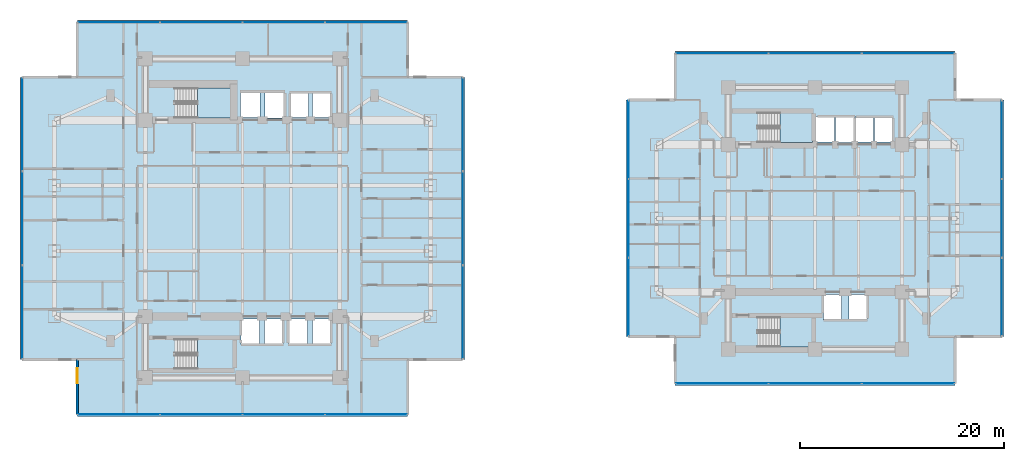
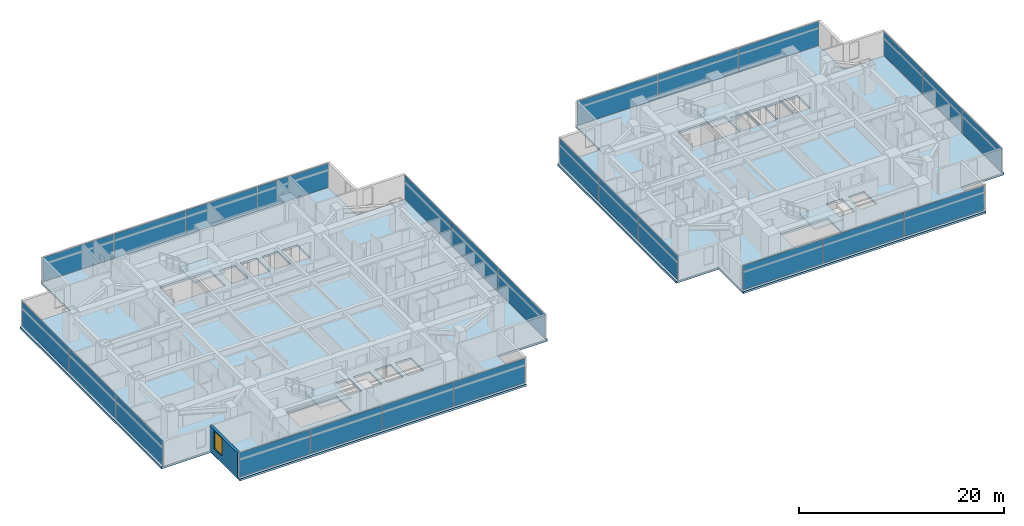
# One storey, part 11 of 23: 26 plates, 6 slabs, 1 wall, 1 window, 1 opening, 12 elements without a shape of their own.
"""IFC4 building model written with IfcOpenShell, lengths in metres."""

import ifcopenshell
import ifcopenshell.guid

model = None  # the IFC model being written
_history = None  # IfcOwnerHistory: only IFC2X3 demands one
_inside = {}  # id of a spatial element -> (the spatial element, [elements in it])
_under = {}  # id of a project, library or spatial element -> (it, [spatial elements below it])
_declared = {}  # id of a project -> (the project, [libraries it declares])
_typed = {}  # id of a type object -> (the type object, [elements of that type])
_made_of = {}  # id of a material, layer set ... -> (it, [elements and type objects made of it])


def new_model(schema):
    """Start an empty IFC model of exactly this schema.

    Asked for "IFC4X3", IfcOpenShell would pick the latest addendum, in which some entities
    have other attributes; the version numbers below select the first issue.
    IFC2X3 requires an IfcOwnerHistory on every rooted entity: one is made here for all.
    """
    global model, _history
    if schema == "IFC4X3":
        model = ifcopenshell.file(schema_version=(4, 3, 0, 0))
    else:
        model = ifcopenshell.file(schema=schema)
    _inside.clear()
    _under.clear()
    _declared.clear()
    _typed.clear()
    _made_of.clear()
    _history = None
    if model.schema == "IFC2X3":
        org = make("IfcOrganization", Name="unknown")
        user = make(
            "IfcPersonAndOrganization",
            ThePerson=make("IfcPerson", FamilyName="unknown"),
            TheOrganization=org,
        )
        app = make(
            "IfcApplication",
            ApplicationDeveloper=org,
            Version="unknown",
            ApplicationFullName="unknown",
            ApplicationIdentifier="unknown",
        )
        _history = make(
            "IfcOwnerHistory",
            OwningUser=user,
            OwningApplication=app,
            ChangeAction="ADDED",
            CreationDate=0,
        )
    return model


def make(cls, **values):
    """One entity of the class cls with the attributes given. An attribute that is None is left unset."""
    return model.create_entity(
        cls, **{name: value for name, value in values.items() if value is not None}
    )


def rooted(cls, **values):
    """An entity with a GlobalId (a new one), such as an element, a storey or a relation."""
    return make(cls, GlobalId=ifcopenshell.guid.new(), OwnerHistory=_history, **values)


def si_unit(unit_type, name, prefix=None):
    """IfcSIUnit, for example si_unit("LENGTHUNIT", "METRE", prefix="MILLI")."""
    return make("IfcSIUnit", UnitType=unit_type, Prefix=prefix, Name=name)


def assignment(units):
    """IfcUnitAssignment: the units of a project."""
    return None if units is None else make("IfcUnitAssignment", Units=units)


def point(xyz):
    """IfcCartesianPoint."""
    return None if xyz is None else make("IfcCartesianPoint", Coordinates=xyz)


def direction(xyz):
    """IfcDirection."""
    return None if xyz is None else make("IfcDirection", DirectionRatios=xyz)


def frame(location, z_axis=None, x_axis=None):
    """IfcAxis2Placement3D, a coordinate frame: its origin and axes. An axis left out is left unset."""
    return make(
        "IfcAxis2Placement3D",
        Location=point(location),
        Axis=direction(z_axis),
        RefDirection=direction(x_axis),
    )


def frame_2d(location, x_axis=None):
    """IfcAxis2Placement2D, a coordinate frame in the plane: its origin and x axis."""
    return make(
        "IfcAxis2Placement2D", Location=point(location), RefDirection=direction(x_axis)
    )


def origin():
    """The frame at (0, 0, 0) with its axes left unset."""
    return frame((0.0, 0.0, 0.0))


def origin_2d():
    """The frame at (0, 0) in the plane with its x axis left unset."""
    return frame_2d((0.0, 0.0))


def place(relative_to, where):
    """IfcLocalPlacement: puts the frame where relative to a parent placement (None: the world)."""
    return make(
        "IfcLocalPlacement", PlacementRelTo=relative_to, RelativePlacement=where
    )


def context(
    kind, dimensions, precision=None, world=None, true_north=None, identifier=None
):
    """IfcGeometricRepresentationContext, for example the 3D "Model" context."""
    return make(
        "IfcGeometricRepresentationContext",
        ContextIdentifier=identifier,
        ContextType=kind,
        CoordinateSpaceDimension=dimensions,
        Precision=precision,
        WorldCoordinateSystem=world,
        TrueNorth=true_north,
    )


def subcontext(parent, identifier, kind, view, scale=None):
    """IfcGeometricRepresentationSubContext, for example "Body" below "Model"."""
    return make(
        "IfcGeometricRepresentationSubContext",
        ContextIdentifier=identifier,
        ContextType=kind,
        ParentContext=parent,
        TargetScale=scale,
        TargetView=view,
    )


def project(units=None, contexts=None):
    """IfcProject with its units and contexts."""
    return rooted(
        "IfcProject",
        Name="project",
        RepresentationContexts=contexts,
        UnitsInContext=assignment(units),
    )


def spatial(cls, under=None, at=None, **own):
    """A site, building, storey or space (cls), placed at a placement, below another one or the project."""
    s = rooted(cls, ObjectPlacement=at, **own)
    if under is not None:
        _under.setdefault(under.id(), (under, []))[1].append(s)
    return s


def polyline(points):
    """IfcPolyline through the points."""
    return make("IfcPolyline", Points=[point(p) for p in points])


def profile(cls, at=None, kind="AREA", **sizes):
    """A parametric profile (cls). Its sizes go by their IFC names, for example OverallWidth=200.0."""
    return make(cls, ProfileType=kind, Position=at, **sizes)


def rectangle(**sizes):
    """IfcRectangleProfileDef."""
    return profile("IfcRectangleProfileDef", **sizes)


def outline(outer, holes=None, kind="AREA"):
    """IfcArbitraryClosedProfileDef: a profile drawn as a closed curve; with holes, ...WithVoids."""
    if holes is None:
        return make("IfcArbitraryClosedProfileDef", ProfileType=kind, OuterCurve=outer)
    return make(
        "IfcArbitraryProfileDefWithVoids",
        ProfileType=kind,
        OuterCurve=outer,
        InnerCurves=holes,
    )


def extrude(swept, where, along, depth):
    """IfcExtrudedAreaSolid: the profile swept, set in the frame where, extruded along a direction by depth."""
    return make(
        "IfcExtrudedAreaSolid",
        SweptArea=swept,
        Position=where,
        ExtrudedDirection=direction(along),
        Depth=depth,
    )


def shape(context_of_items, identifier, shape_type, items):
    """IfcShapeRepresentation: the items that make up one representation, for example the "Body"."""
    return make(
        "IfcShapeRepresentation",
        ContextOfItems=context_of_items,
        RepresentationIdentifier=identifier,
        RepresentationType=shape_type,
        Items=items,
    )


def material(Name=None, Category=None):
    """IfcMaterial."""
    return make("IfcMaterial", Name=Name, Category=Category)


def layer(
    of_material, thickness, ventilated=None, Name=None, Category=None, Priority=None
):
    """IfcMaterialLayer: one layer of a wall or slab, of a material (None: an air gap)."""
    return make(
        "IfcMaterialLayer",
        Material=of_material,
        LayerThickness=thickness,
        IsVentilated=ventilated,
        Name=Name,
        Category=Category,
        Priority=Priority,
    )


def layer_set(layers, Name=None):
    """IfcMaterialLayerSet."""
    return make("IfcMaterialLayerSet", MaterialLayers=layers, LayerSetName=Name)


def made_of(thing, what):
    """Note that an element or type object is made of a material, layer set ...; save() writes the relation."""
    if what is not None:
        _made_of.setdefault(what.id(), (what, []))[1].append(thing)
    return thing


def type_object(cls, material=None, **own):
    """A type object (cls), such as IfcWallType, which elements share."""
    return made_of(rooted(cls, **own), material)


def element(
    cls,
    number,
    at=None,
    inside=None,
    cuts=None,
    type_object=None,
    material=None,
    context=None,
    identifier="Body",
    shape_type=None,
    held_by="IfcProductDefinitionShape",
    body=None,
    shapes=None,
    **own,
):
    """One element of the class cls, such as IfcWall. Its Tag is "e" and its number.

    at: its placement. inside: the storey or other place that contains it. cuts: it is an
    opening in that element (IfcRelVoidsElement). A single representation is given by context,
    identifier, shape_type and body (its items); several are given by shapes. held_by: the class
    of the entity that holds the representations. save() writes the other relations.
    """
    e = rooted(cls, Tag="e%d" % number, ObjectPlacement=at, **own)
    if body is not None:
        shapes = [shape(context, identifier, shape_type, body)]
    if shapes is not None:
        e.Representation = make(held_by, Representations=shapes)
    if inside is not None:
        _inside.setdefault(inside.id(), (inside, []))[1].append(e)
    if cuts is not None:
        rooted(
            "IfcRelVoidsElement", RelatingBuildingElement=cuts, RelatedOpeningElement=e
        )
    if type_object is not None:
        _typed.setdefault(type_object.id(), (type_object, []))[1].append(e)
    return made_of(e, material)


def fill(opening, filler):
    """IfcRelFillsElement: the door or window that sits in an opening."""
    return rooted(
        "IfcRelFillsElement",
        RelatingOpeningElement=opening,
        RelatedBuildingElement=filler,
    )


def aggregate(whole, parts):
    """IfcRelAggregates: a whole, such as a stair, and the parts it consists of."""
    return rooted("IfcRelAggregates", RelatingObject=whole, RelatedObjects=parts)


def save(model, path):
    """Write the relations noted so far, then the file.

    IfcRelAggregates (storeys below a building ...), IfcRelContainedInSpatialStructure (elements
    in a storey), IfcRelDefinesByType, IfcRelAssociatesMaterial and IfcRelDeclares: one each for
    every whole, place, type object, material and project.
    """
    for whole, parts in _under.values():
        aggregate(whole, parts)
    for where, things in _inside.values():
        rooted(
            "IfcRelContainedInSpatialStructure",
            RelatedElements=things,
            RelatingStructure=where,
        )
    for kind, things in _typed.values():
        rooted("IfcRelDefinesByType", RelatedObjects=things, RelatingType=kind)
    for what, things in _made_of.values():
        rooted("IfcRelAssociatesMaterial", RelatedObjects=things, RelatingMaterial=what)
    for by, libraries in _declared.values():
        rooted("IfcRelDeclares", RelatingContext=by, RelatedDefinitions=libraries)
    model.write(path)


model = new_model("IFC4")

# Units and contexts
model_context = context("Model", 3, precision=1e-05, world=origin(), true_north=direction((0.0, 1.0)))
body_context = subcontext(model_context, "Body", "Model", "MODEL_VIEW")
ifc_project = project(units=[si_unit("LENGTHUNIT", "METRE"), si_unit("AREAUNIT", "SQUARE_METRE"), si_unit("VOLUMEUNIT", "CUBIC_METRE"), si_unit("PLANEANGLEUNIT", "RADIAN"), si_unit("MASSUNIT", "GRAM", prefix="KILO")], contexts=[model_context])

# Site, building, storey
site_placement = place(None, origin())
site = spatial("IfcSite", under=ifc_project, at=site_placement, CompositionType="ELEMENT")
building_placement = place(site_placement, origin())
building = spatial("IfcBuilding", under=site, at=building_placement, Name="Mirazonda Arch Towers", CompositionType="ELEMENT")
storey_placement = place(building_placement, frame((0.0, 0.0, 29.0)))
storey = spatial("IfcBuildingStorey", under=building, at=storey_placement, Name="L07", CompositionType="ELEMENT", Elevation=29.0)

# Curtain wall, plates
ifc_material_1 = material(Name="Anodised Aluminium and Low-E Glass", Category="aluminium")
curtain_wall_type = type_object("IfcCurtainWallType", Name="CW-HTL-UNIT", PredefinedType="NOTDEFINED", material=ifc_material_1)
curtain_wall_1_placement = place(storey_placement, origin())
curtain_wall_1 = element("IfcCurtainWall", 1, at=curtain_wall_1_placement, inside=storey, type_object=curtain_wall_type, Name="L07 T1 S Facade CW-L07-T1-S", PredefinedType="NOTDEFINED")
ifc_material_2 = material(Name="Insulated Low-E Solar Glass", Category="glass")
ifc_layer_1 = layer(ifc_material_2, 0.035888671875, Name="PAN-CW-HTL-UNIT")
ifc_layer_set_1 = layer_set([ifc_layer_1], Name="Insulated Low-E Solar Glass")
plate_type = type_object("IfcPlateType", Name="PAN-CW-HTL-UNIT", PredefinedType="CURTAIN_PANEL", material=ifc_layer_set_1)
plate_1_placement = place(storey_placement, frame((32.601318359375, 8.823974609375, 0.0751953125), z_axis=(0.0, 0.0, 1.0), x_axis=(-1.0, 0.0, 0.0)))
plate_1 = element("IfcPlate", 2, at=plate_1_placement, type_object=plate_type, Name="CW-112 panel 1.1", PredefinedType="CURTAIN_PANEL", context=body_context, shape_type="SweptSolid", body=[
    extrude(rectangle(XDim=7.967529296875, YDim=0.035888671875, at=origin_2d()), origin(), (0.0, 0.0, 1.0), 2.889892578125),
])
plate_2_placement = place(storey_placement, frame((24.5400390625, 8.823974609375, 0.0751953125), z_axis=(0.0, 0.0, 1.0), x_axis=(-1.0, 0.0, 0.0)))
plate_2 = element("IfcPlate", 3, at=plate_2_placement, type_object=plate_type, Name="CW-112 panel 2.1", PredefinedType="CURTAIN_PANEL", context=body_context, shape_type="SweptSolid", body=[
    extrude(rectangle(XDim=8.0048828125, YDim=0.035888671875, at=origin_2d()), origin(), (0.0, 0.0, 1.0), 2.889892578125),
])
plate_3_placement = place(storey_placement, frame((16.4599609375, 8.823974609375, 0.0751953125), z_axis=(0.0, 0.0, 1.0), x_axis=(-1.0, 0.0, 0.0)))
plate_3 = element("IfcPlate", 4, at=plate_3_placement, type_object=plate_type, Name="CW-112 panel 3.1", PredefinedType="CURTAIN_PANEL", context=body_context, shape_type="SweptSolid", body=[
    extrude(rectangle(XDim=8.0048828125, YDim=0.035888671875, at=origin_2d()), origin(), (0.0, 0.0, 1.0), 2.889892578125),
])
plate_4_placement = place(storey_placement, frame((8.398681640625, 8.823974609375, 0.0751953125), z_axis=(0.0, 0.0, 1.0), x_axis=(-1.0, 0.0, 0.0)))
plate_4 = element("IfcPlate", 5, at=plate_4_placement, type_object=plate_type, Name="CW-112 panel 4.1", PredefinedType="CURTAIN_PANEL", context=body_context, shape_type="SweptSolid", body=[
    extrude(rectangle(XDim=7.967529296875, YDim=0.035888671875, at=origin_2d()), origin(), (0.0, 0.0, 1.0), 2.889892578125),
])
aggregate(curtain_wall_1, [plate_1, plate_2, plate_3, plate_4])

curtain_wall_2_placement = place(storey_placement, origin())
curtain_wall_2 = element("IfcCurtainWall", 6, at=curtain_wall_2_placement, inside=storey, type_object=curtain_wall_type, Name="L07 T1 E Facade CW-L07-T1-E", PredefinedType="NOTDEFINED")
plate_5_placement = place(storey_placement, frame((42.0400390625, 18.821533203125, 0.0751953125), z_axis=(0.0, 0.0, 1.0), x_axis=(0.0, 1.0, 0.0)))
plate_5 = element("IfcPlate", 7, at=plate_5_placement, type_object=plate_type, Name="CW-112 panel 1.1", PredefinedType="CURTAIN_PANEL", context=body_context, shape_type="SweptSolid", body=[
    extrude(rectangle(XDim=9.084716796875, YDim=0.035888671875, at=origin_2d()), origin(), (0.0, 0.0, 1.0), 2.889892578125),
])
plate_6_placement = place(storey_placement, frame((42.0400390625, 28.0, 0.0751953125), z_axis=(0.0, 0.0, 1.0), x_axis=(0.0, 1.0, 0.0)))
plate_6 = element("IfcPlate", 8, at=plate_6_placement, type_object=plate_type, Name="CW-112 panel 2.1", PredefinedType="CURTAIN_PANEL", context=body_context, shape_type="SweptSolid", body=[
    extrude(rectangle(XDim=9.122314453125, YDim=0.035888671875, at=origin_2d()), origin(), (0.0, 0.0, 1.0), 2.889892578125),
])
plate_7_placement = place(storey_placement, frame((42.0400390625, 37.178466796875, 0.0751953125), z_axis=(0.0, 0.0, 1.0), x_axis=(0.0, 1.0, 0.0)))
plate_7 = element("IfcPlate", 9, at=plate_7_placement, type_object=plate_type, Name="CW-112 panel 3.1", PredefinedType="CURTAIN_PANEL", context=body_context, shape_type="SweptSolid", body=[
    extrude(rectangle(XDim=9.084716796875, YDim=0.035888671875, at=origin_2d()), origin(), (0.0, 0.0, 1.0), 2.889892578125),
])
aggregate(curtain_wall_2, [plate_5, plate_6, plate_7])

curtain_wall_3_placement = place(storey_placement, origin())
curtain_wall_3 = element("IfcCurtainWall", 10, at=curtain_wall_3_placement, inside=storey, type_object=curtain_wall_type, Name="L07 T1 N Facade CW-L07-T1-N", PredefinedType="NOTDEFINED")
plate_8_placement = place(storey_placement, frame((8.398681640625, 47.176025390625, 0.0751953125), z_axis=(0.0, 0.0, 1.0), x_axis=(1.0, 0.0, 0.0)))
plate_8 = element("IfcPlate", 11, at=plate_8_placement, type_object=plate_type, Name="CW-112 panel 1.1", PredefinedType="CURTAIN_PANEL", context=body_context, shape_type="SweptSolid", body=[
    extrude(rectangle(XDim=7.967529296875, YDim=0.035888671875, at=origin_2d()), origin(), (0.0, 0.0, 1.0), 2.889892578125),
])
plate_9_placement = place(storey_placement, frame((16.4599609375, 47.176025390625, 0.0751953125), z_axis=(0.0, 0.0, 1.0), x_axis=(1.0, 0.0, 0.0)))
plate_9 = element("IfcPlate", 12, at=plate_9_placement, type_object=plate_type, Name="CW-112 panel 2.1", PredefinedType="CURTAIN_PANEL", context=body_context, shape_type="SweptSolid", body=[
    extrude(rectangle(XDim=8.0048828125, YDim=0.035888671875, at=origin_2d()), origin(), (0.0, 0.0, 1.0), 2.889892578125),
])
plate_10_placement = place(storey_placement, frame((24.5400390625, 47.176025390625, 0.0751953125), z_axis=(0.0, 0.0, 1.0), x_axis=(1.0, 0.0, 0.0)))
plate_10 = element("IfcPlate", 13, at=plate_10_placement, type_object=plate_type, Name="CW-112 panel 3.1", PredefinedType="CURTAIN_PANEL", context=body_context, shape_type="SweptSolid", body=[
    extrude(rectangle(XDim=8.0048828125, YDim=0.035888671875, at=origin_2d()), origin(), (0.0, 0.0, 1.0), 2.889892578125),
])
plate_11_placement = place(storey_placement, frame((32.601318359375, 47.176025390625, 0.0751953125), z_axis=(0.0, 0.0, 1.0), x_axis=(1.0, 0.0, 0.0)))
plate_11 = element("IfcPlate", 14, at=plate_11_placement, type_object=plate_type, Name="CW-112 panel 4.1", PredefinedType="CURTAIN_PANEL", context=body_context, shape_type="SweptSolid", body=[
    extrude(rectangle(XDim=7.967529296875, YDim=0.035888671875, at=origin_2d()), origin(), (0.0, 0.0, 1.0), 2.889892578125),
])
aggregate(curtain_wall_3, [plate_8, plate_9, plate_10, plate_11])

curtain_wall_4_placement = place(storey_placement, origin())
curtain_wall_4 = element("IfcCurtainWall", 15, at=curtain_wall_4_placement, inside=storey, type_object=curtain_wall_type, Name="L07 T1 W Facade CW-L07-T1-W", PredefinedType="NOTDEFINED")
plate_12_placement = place(storey_placement, frame((-1.0400390625, 37.178466796875, 0.0751953125), z_axis=(0.0, 0.0, 1.0), x_axis=(0.0, -1.0, 0.0)))
plate_12 = element("IfcPlate", 16, at=plate_12_placement, type_object=plate_type, Name="CW-112 panel 1.1", PredefinedType="CURTAIN_PANEL", context=body_context, shape_type="SweptSolid", body=[
    extrude(rectangle(XDim=9.084716796875, YDim=0.035888671875, at=origin_2d()), origin(), (0.0, 0.0, 1.0), 2.889892578125),
])
plate_13_placement = place(storey_placement, frame((-1.0400390625, 28.0, 0.0751953125), z_axis=(0.0, 0.0, 1.0), x_axis=(0.0, -1.0, 0.0)))
plate_13 = element("IfcPlate", 17, at=plate_13_placement, type_object=plate_type, Name="CW-112 panel 2.1", PredefinedType="CURTAIN_PANEL", context=body_context, shape_type="SweptSolid", body=[
    extrude(rectangle(XDim=9.122314453125, YDim=0.035888671875, at=origin_2d()), origin(), (0.0, 0.0, 1.0), 2.889892578125),
])
plate_14_placement = place(storey_placement, frame((-1.0400390625, 18.821533203125, 0.0751953125), z_axis=(0.0, 0.0, 1.0), x_axis=(0.0, -1.0, 0.0)))
plate_14 = element("IfcPlate", 18, at=plate_14_placement, type_object=plate_type, Name="CW-112 panel 3.1", PredefinedType="CURTAIN_PANEL", context=body_context, shape_type="SweptSolid", body=[
    extrude(rectangle(XDim=9.084716796875, YDim=0.035888671875, at=origin_2d()), origin(), (0.0, 0.0, 1.0), 2.889892578125),
])
aggregate(curtain_wall_4, [plate_12, plate_13, plate_14])

curtain_wall_5_placement = place(storey_placement, origin())
curtain_wall_5 = element("IfcCurtainWall", 19, at=curtain_wall_5_placement, inside=storey, type_object=curtain_wall_type, Name="L07 T2 S Facade CW-L07-T2-S", PredefinedType="NOTDEFINED")
plate_15_placement = place(storey_placement, frame((85.5986328125, 11.853515625, 0.0751953125), z_axis=(0.0, 0.0, 1.0), x_axis=(-1.0, 0.0, 0.0)))
plate_15 = element("IfcPlate", 20, at=plate_15_placement, type_object=plate_type, Name="CW-112 panel 1.1", PredefinedType="CURTAIN_PANEL", context=body_context, shape_type="SweptSolid", body=[
    extrude(rectangle(XDim=9.0048828125, YDim=0.035888671875, at=origin_2d()), origin(), (0.0, 0.0, 1.0), 2.889892578125),
])
plate_16_placement = place(storey_placement, frame((76.5, 11.853515625, 0.0751953125), z_axis=(0.0, 0.0, 1.0), x_axis=(-1.0, 0.0, 0.0)))
plate_16 = element("IfcPlate", 21, at=plate_16_placement, type_object=plate_type, Name="CW-112 panel 2.1", PredefinedType="CURTAIN_PANEL", context=body_context, shape_type="SweptSolid", body=[
    extrude(rectangle(XDim=9.042236328125, YDim=0.035888671875, at=origin_2d()), origin(), (0.0, 0.0, 1.0), 2.889892578125),
])
plate_17_placement = place(storey_placement, frame((67.4013671875, 11.853515625, 0.0751953125), z_axis=(0.0, 0.0, 1.0), x_axis=(-1.0, 0.0, 0.0)))
plate_17 = element("IfcPlate", 22, at=plate_17_placement, type_object=plate_type, Name="CW-112 panel 3.1", PredefinedType="CURTAIN_PANEL", context=body_context, shape_type="SweptSolid", body=[
    extrude(rectangle(XDim=9.0048828125, YDim=0.035888671875, at=origin_2d()), origin(), (0.0, 0.0, 1.0), 2.889892578125),
])
aggregate(curtain_wall_5, [plate_15, plate_16, plate_17])

curtain_wall_6_placement = place(storey_placement, origin())
curtain_wall_6 = element("IfcCurtainWall", 23, at=curtain_wall_6_placement, inside=storey, type_object=curtain_wall_type, Name="L07 T2 E Facade CW-L07-T2-E", PredefinedType="NOTDEFINED")
plate_18_placement = place(storey_placement, frame((94.756103515625, 20.3076171875, 0.0751953125), z_axis=(0.0, 0.0, 1.0), x_axis=(0.0, 1.0, 0.0)))
plate_18 = element("IfcPlate", 24, at=plate_18_placement, type_object=plate_type, Name="CW-112 panel 1.1", PredefinedType="CURTAIN_PANEL", context=body_context, shape_type="SweptSolid", body=[
    extrude(rectangle(XDim=7.5986328125, YDim=0.035888671875, at=origin_2d()), origin(), (0.0, 0.0, 1.0), 2.889892578125),
])
plate_19_placement = place(storey_placement, frame((94.756103515625, 28.0, 0.0751953125), z_axis=(0.0, 0.0, 1.0), x_axis=(0.0, 1.0, 0.0)))
plate_19 = element("IfcPlate", 25, at=plate_19_placement, type_object=plate_type, Name="CW-112 panel 2.1", PredefinedType="CURTAIN_PANEL", context=body_context, shape_type="SweptSolid", body=[
    extrude(rectangle(XDim=7.635986328125, YDim=0.035888671875, at=origin_2d()), origin(), (0.0, 0.0, 1.0), 2.889892578125),
])
plate_20_placement = place(storey_placement, frame((94.756103515625, 35.6923828125, 0.0751953125), z_axis=(0.0, 0.0, 1.0), x_axis=(0.0, 1.0, 0.0)))
plate_20 = element("IfcPlate", 26, at=plate_20_placement, type_object=plate_type, Name="CW-112 panel 3.1", PredefinedType="CURTAIN_PANEL", context=body_context, shape_type="SweptSolid", body=[
    extrude(rectangle(XDim=7.5986328125, YDim=0.035888671875, at=origin_2d()), origin(), (0.0, 0.0, 1.0), 2.889892578125),
])
aggregate(curtain_wall_6, [plate_18, plate_19, plate_20])

curtain_wall_7_placement = place(storey_placement, origin())
curtain_wall_7 = element("IfcCurtainWall", 27, at=curtain_wall_7_placement, inside=storey, type_object=curtain_wall_type, Name="L07 T2 N Facade CW-L07-T2-N", PredefinedType="NOTDEFINED")
plate_21_placement = place(storey_placement, frame((67.4013671875, 44.146484375, 0.0751953125), z_axis=(0.0, 0.0, 1.0), x_axis=(1.0, 0.0, 0.0)))
plate_21 = element("IfcPlate", 28, at=plate_21_placement, type_object=plate_type, Name="CW-112 panel 1.1", PredefinedType="CURTAIN_PANEL", context=body_context, shape_type="SweptSolid", body=[
    extrude(rectangle(XDim=9.0048828125, YDim=0.035888671875, at=origin_2d()), origin(), (0.0, 0.0, 1.0), 2.889892578125),
])
plate_22_placement = place(storey_placement, frame((76.5, 44.146484375, 0.0751953125), z_axis=(0.0, 0.0, 1.0), x_axis=(1.0, 0.0, 0.0)))
plate_22 = element("IfcPlate", 29, at=plate_22_placement, type_object=plate_type, Name="CW-112 panel 2.1", PredefinedType="CURTAIN_PANEL", context=body_context, shape_type="SweptSolid", body=[
    extrude(rectangle(XDim=9.042236328125, YDim=0.035888671875, at=origin_2d()), origin(), (0.0, 0.0, 1.0), 2.889892578125),
])
plate_23_placement = place(storey_placement, frame((85.5986328125, 44.146484375, 0.0751953125), z_axis=(0.0, 0.0, 1.0), x_axis=(1.0, 0.0, 0.0)))
plate_23 = element("IfcPlate", 30, at=plate_23_placement, type_object=plate_type, Name="CW-112 panel 3.1", PredefinedType="CURTAIN_PANEL", context=body_context, shape_type="SweptSolid", body=[
    extrude(rectangle(XDim=9.0048828125, YDim=0.035888671875, at=origin_2d()), origin(), (0.0, 0.0, 1.0), 2.889892578125),
])
aggregate(curtain_wall_7, [plate_21, plate_22, plate_23])

curtain_wall_8_placement = place(storey_placement, origin())
curtain_wall_8 = element("IfcCurtainWall", 31, at=curtain_wall_8_placement, inside=storey, type_object=curtain_wall_type, Name="L07 T2 W Facade CW-L07-T2-W", PredefinedType="NOTDEFINED")
plate_24_placement = place(storey_placement, frame((58.243896484375, 35.6923828125, 0.0751953125), z_axis=(0.0, 0.0, 1.0), x_axis=(0.0, -1.0, 0.0)))
plate_24 = element("IfcPlate", 32, at=plate_24_placement, type_object=plate_type, Name="CW-112 panel 1.1", PredefinedType="CURTAIN_PANEL", context=body_context, shape_type="SweptSolid", body=[
    extrude(rectangle(XDim=7.5986328125, YDim=0.035888671875, at=origin_2d()), origin(), (0.0, 0.0, 1.0), 2.889892578125),
])
plate_25_placement = place(storey_placement, frame((58.243896484375, 28.0, 0.0751953125), z_axis=(0.0, 0.0, 1.0), x_axis=(0.0, -1.0, 0.0)))
plate_25 = element("IfcPlate", 33, at=plate_25_placement, type_object=plate_type, Name="CW-112 panel 2.1", PredefinedType="CURTAIN_PANEL", context=body_context, shape_type="SweptSolid", body=[
    extrude(rectangle(XDim=7.635986328125, YDim=0.035888671875, at=origin_2d()), origin(), (0.0, 0.0, 1.0), 2.889892578125),
])
plate_26_placement = place(storey_placement, frame((58.243896484375, 20.3076171875, 0.0751953125), z_axis=(0.0, 0.0, 1.0), x_axis=(0.0, -1.0, 0.0)))
plate_26 = element("IfcPlate", 34, at=plate_26_placement, type_object=plate_type, Name="CW-112 panel 3.1", PredefinedType="CURTAIN_PANEL", context=body_context, shape_type="SweptSolid", body=[
    extrude(rectangle(XDim=7.5986328125, YDim=0.035888671875, at=origin_2d()), origin(), (0.0, 0.0, 1.0), 2.889892578125),
])
aggregate(curtain_wall_8, [plate_24, plate_25, plate_26])

# Stair, slab
ifc_material_3 = material(Name="Concrete C40/50", Category="concrete")
stair_type = type_object("IfcStairType", Name="STAIR-CORE-1400", PredefinedType="HALF_TURN_STAIR", material=ifc_material_3)
stair_1_placement = place(storey_placement, origin())
stair_1 = element("IfcStair", 35, at=stair_1_placement, inside=storey, type_object=stair_type, Name="L07 Protected Exit Stair ST-T1N", PredefinedType="HALF_TURN_STAIR")
ifc_layer_2 = layer(ifc_material_3, 0.18994140625, Name="SLAB-LANDING-190")
ifc_layer_set_2 = layer_set([ifc_layer_2], Name="Concrete C40/50")
slab_type_1 = type_object("IfcSlabType", Name="SLAB-LANDING-190", PredefinedType="LANDING", material=ifc_layer_set_2)
slab_1_placement = place(storey_placement, frame((0.0, 0.0, 1.449951171875)))
slab_1 = element("IfcSlab", 36, at=slab_1_placement, type_object=slab_type_1, Name="ST-T1N landing 1", PredefinedType="LANDING", context=body_context, shape_type="SweptSolid", body=[
    extrude(outline(polyline([(16.090087890625, 37.820068359375), (19.60009765625, 37.820068359375), (19.60009765625, 40.760009765625), (16.090087890625, 40.760009765625), (16.090087890625, 37.820068359375)])), origin(), (0.0, 0.0, 1.0), 0.199951171875),
])
aggregate(stair_1, [slab_1])

stair_2_placement = place(storey_placement, origin())
stair_2 = element("IfcStair", 37, at=stair_2_placement, inside=storey, type_object=stair_type, Name="L07 Protected Exit Stair ST-T1S", PredefinedType="HALF_TURN_STAIR")
slab_2_placement = place(storey_placement, frame((0.0, 0.0, 1.449951171875)))
slab_2 = element("IfcSlab", 38, at=slab_2_placement, type_object=slab_type_1, Name="ST-T1S landing 1", PredefinedType="LANDING", context=body_context, shape_type="SweptSolid", body=[
    extrude(outline(polyline([(16.090087890625, 13.25), (19.60009765625, 13.25), (19.60009765625, 16.18994140625), (16.090087890625, 16.18994140625), (16.090087890625, 13.25)])), origin(), (0.0, 0.0, 1.0), 0.199951171875),
])
aggregate(stair_2, [slab_2])

stair_3_placement = place(storey_placement, origin())
stair_3 = element("IfcStair", 39, at=stair_3_placement, inside=storey, type_object=stair_type, Name="L07 Protected Exit Stair ST-T2N", PredefinedType="HALF_TURN_STAIR")
slab_3_placement = place(storey_placement, frame((0.0, 0.0, 1.449951171875)))
slab_3 = element("IfcSlab", 40, at=slab_3_placement, type_object=slab_type_1, Name="ST-T2N landing 1", PredefinedType="LANDING", context=body_context, shape_type="SweptSolid", body=[
    extrude(outline(polyline([(73.090087890625, 35.419921875), (76.22998046875, 35.419921875), (76.22998046875, 38.360107421875), (73.090087890625, 38.360107421875), (73.090087890625, 35.419921875)])), origin(), (0.0, 0.0, 1.0), 0.199951171875),
])
aggregate(stair_3, [slab_3])

stair_4_placement = place(storey_placement, origin())
stair_4 = element("IfcStair", 41, at=stair_4_placement, inside=storey, type_object=stair_type, Name="L07 Protected Exit Stair ST-T2S", PredefinedType="HALF_TURN_STAIR")
slab_4_placement = place(storey_placement, frame((0.0, 0.0, 1.449951171875)))
slab_4 = element("IfcSlab", 42, at=slab_4_placement, type_object=slab_type_1, Name="ST-T2S landing 1", PredefinedType="LANDING", context=body_context, shape_type="SweptSolid", body=[
    extrude(outline(polyline([(73.090087890625, 15.419921875), (76.22998046875, 15.419921875), (76.22998046875, 18.360107421875), (73.090087890625, 18.360107421875), (73.090087890625, 15.419921875)])), origin(), (0.0, 0.0, 1.0), 0.199951171875),
])
aggregate(stair_4, [slab_4])

# Slabs
ifc_layer_3 = layer(ifc_material_3, 0.239990234375, Name="SLAB-TWR-240")
ifc_layer_set_3 = layer_set([ifc_layer_3], Name="Concrete C40/50")
slab_type_2 = type_object("IfcSlabType", Name="SLAB-TWR-240", PredefinedType="FLOOR", material=ifc_layer_set_3)
slab_5_placement = place(storey_placement, frame((0.0, 0.0, -0.239990234375)))
element("IfcSlab", 43, at=slab_5_placement, inside=storey, type_object=slab_type_2, Name="L07 Tower 1 Floor Slab", PredefinedType="FLOOR", context=body_context, shape_type="SweptSolid", body=[
    extrude(outline(polyline([(4.340087890625, 8.60400390625), (36.659912109375, 8.60400390625), (36.659912109375, 14.2041015625), (42.260009765625, 14.2041015625), (42.260009765625, 41.7958984375), (36.659912109375, 41.7958984375), (36.659912109375, 47.39599609375), (4.340087890625, 47.39599609375), (4.340087890625, 41.7958984375), (-1.260009765625, 41.7958984375), (-1.260009765625, 14.2041015625), (4.340087890625, 14.2041015625), (4.340087890625, 8.60400390625)]), holes=[polyline([(29.139892578125, 18.139892578125), (29.139892578125, 15.659912109375), (27.360107421875, 15.659912109375), (27.360107421875, 18.139892578125), (29.139892578125, 18.139892578125)]), polyline([(29.139892578125, 40.340087890625), (29.139892578125, 37.860107421875), (27.360107421875, 37.860107421875), (27.360107421875, 40.340087890625), (29.139892578125, 40.340087890625)]), polyline([(25.159912109375, 40.340087890625), (26.93994140625, 40.340087890625), (26.93994140625, 37.860107421875), (25.159912109375, 37.860107421875), (25.159912109375, 40.340087890625)]), polyline([(26.840087890625, 18.139892578125), (26.840087890625, 15.659912109375), (25.06005859375, 15.659912109375), (25.06005859375, 18.139892578125), (26.840087890625, 18.139892578125)]), polyline([(22.7099609375, 40.389892578125), (24.590087890625, 40.389892578125), (24.590087890625, 37.81005859375), (22.7099609375, 37.81005859375), (22.7099609375, 40.389892578125)]), polyline([(22.659912109375, 18.139892578125), (24.43994140625, 18.139892578125), (24.43994140625, 15.659912109375), (22.659912109375, 15.659912109375), (22.659912109375, 18.139892578125)]), polyline([(20.31005859375, 40.340087890625), (22.18994140625, 40.340087890625), (22.18994140625, 37.860107421875), (20.31005859375, 37.860107421875), (20.31005859375, 40.340087890625)]), polyline([(20.360107421875, 18.139892578125), (22.139892578125, 18.139892578125), (22.139892578125, 15.659912109375), (20.360107421875, 15.659912109375), (20.360107421875, 18.139892578125)]), polyline([(13.925048828125, 40.760009765625), (19.60009765625, 40.760009765625), (19.60009765625, 37.820068359375), (13.925048828125, 37.820068359375), (13.925048828125, 40.760009765625)]), polyline([(13.925048828125, 13.25), (13.925048828125, 16.18994140625), (19.60009765625, 16.18994140625), (19.60009765625, 13.25), (13.925048828125, 13.25)])]), origin(), (0.0, 0.0, 1.0), 0.239990234375),
])
slab_6_placement = place(storey_placement, frame((0.0, 0.0, -0.239990234375)))
element("IfcSlab", 44, at=slab_6_placement, inside=storey, type_object=slab_type_2, Name="L07 Tower 2 Floor Slab", PredefinedType="FLOOR", context=body_context, shape_type="SweptSolid", body=[
    extrude(outline(polyline([(62.823974609375, 11.63330078125), (90.176025390625, 11.63330078125), (90.176025390625, 16.433349609375), (94.97607421875, 16.433349609375), (94.97607421875, 39.566650390625), (90.176025390625, 39.566650390625), (90.176025390625, 44.36669921875), (62.823974609375, 44.36669921875), (62.823974609375, 39.566650390625), (58.02392578125, 39.566650390625), (58.02392578125, 16.433349609375), (62.823974609375, 16.433349609375), (62.823974609375, 11.63330078125)]), holes=[polyline([(82.330078125, 37.93994140625), (84.110107421875, 37.93994140625), (84.110107421875, 35.4599609375), (82.330078125, 35.4599609375), (82.330078125, 37.93994140625)]), polyline([(80.449951171875, 37.93994140625), (82.22998046875, 37.93994140625), (82.22998046875, 35.4599609375), (80.449951171875, 35.4599609375), (80.449951171875, 37.93994140625)]), polyline([(79.81005859375, 20.5400390625), (81.590087890625, 20.5400390625), (81.590087890625, 18.06005859375), (79.81005859375, 18.06005859375), (79.81005859375, 20.5400390625)]), polyline([(78.47998046875, 37.989990234375), (80.360107421875, 37.989990234375), (80.360107421875, 35.409912109375), (78.47998046875, 35.409912109375), (78.47998046875, 37.989990234375)]), polyline([(77.31005859375, 20.5400390625), (79.090087890625, 20.5400390625), (79.090087890625, 18.06005859375), (77.31005859375, 18.06005859375), (77.31005859375, 20.5400390625)]), polyline([(76.510009765625, 37.93994140625), (78.389892578125, 37.93994140625), (78.389892578125, 35.4599609375), (76.510009765625, 35.4599609375), (76.510009765625, 37.93994140625)]), polyline([(70.925048828125, 15.419921875), (70.925048828125, 18.360107421875), (76.22998046875, 18.360107421875), (76.22998046875, 15.419921875), (70.925048828125, 15.419921875)]), polyline([(70.925048828125, 35.419921875), (70.925048828125, 38.360107421875), (76.22998046875, 38.360107421875), (76.22998046875, 35.419921875), (70.925048828125, 35.419921875)])]), origin(), (0.0, 0.0, 1.0), 0.239990234375),
])

# Wall, opening, window
ifc_material_4 = material(Name="Precast Concrete C40/50", Category="concrete")
ifc_layer_4 = layer(ifc_material_4, 0.280029296875, Name="WALL-EXT-WALL-280")
ifc_layer_set_4 = layer_set([ifc_layer_4], Name="Precast Concrete C40/50")
wall_type = type_object("IfcWallType", Name="WALL-EXT-WALL-280", PredefinedType="SOLIDWALL", material=ifc_layer_set_4)
wall_placement = place(storey_placement, frame((4.340087890625, 14.2041015625, 0.0), z_axis=(0.0, 0.0, 1.0), x_axis=(0.0, -1.0, 0.0)))
wall = element("IfcWall", 45, at=wall_placement, inside=storey, type_object=wall_type, Name="L07 T1 Notched SW Corner Wall WL-L07-T1-CSW", PredefinedType="SOLIDWALL", context=body_context, shape_type="SweptSolid", body=[
    extrude(rectangle(XDim=5.380126953125, YDim=0.280029296875, at=frame_2d((2.68994140625, 0.0))), origin(), (0.0, 0.0, 1.0), 3.0400390625),
])
opening_placement = place(wall_placement, frame((0.85009765625, 0.0, 0.7900390625)))
opening = element("IfcOpeningElement", 46, at=opening_placement, cuts=wall, Name="Opening WN-120", PredefinedType="OPENING", context=body_context, shape_type="SweptSolid", body=[
    extrude(rectangle(XDim=1.5, YDim=2.10009765625, at=frame_2d((0.75, 1.050048828125))), frame((0.0, 0.14990234375, 0.0), z_axis=(0.0, -1.0, 0.0), x_axis=(1.0, 0.0, 0.0)), (0.0, 0.0, 1.0), 0.300048828125),
])
window_type = type_object("IfcWindowType", Name="WIN-HTL-1500x2100", PartitioningType="SINGLE_PANEL", PredefinedType="WINDOW", material=ifc_material_2)
window_placement = place(opening_placement, origin())
window = element("IfcWindow", 47, at=window_placement, inside=storey, type_object=window_type, Name="L07 Punched Facade Window WN-L07-T1-CSW", OverallHeight=2.10009765625, OverallWidth=1.5, PartitioningType="SINGLE_PANEL", PredefinedType="WINDOW", context=body_context, shape_type="SweptSolid", body=[
    extrude(rectangle(XDim=1.5, YDim=2.10009765625, at=frame_2d((0.75, 1.050048828125))), frame((0.0, 0.030029296875, 0.0), z_axis=(0.0, -1.0, 0.0), x_axis=(1.0, 0.0, 0.0)), (0.0, 0.0, 1.0), 0.06005859375),
])
fill(opening, window)

save(model, "model.ifc")
